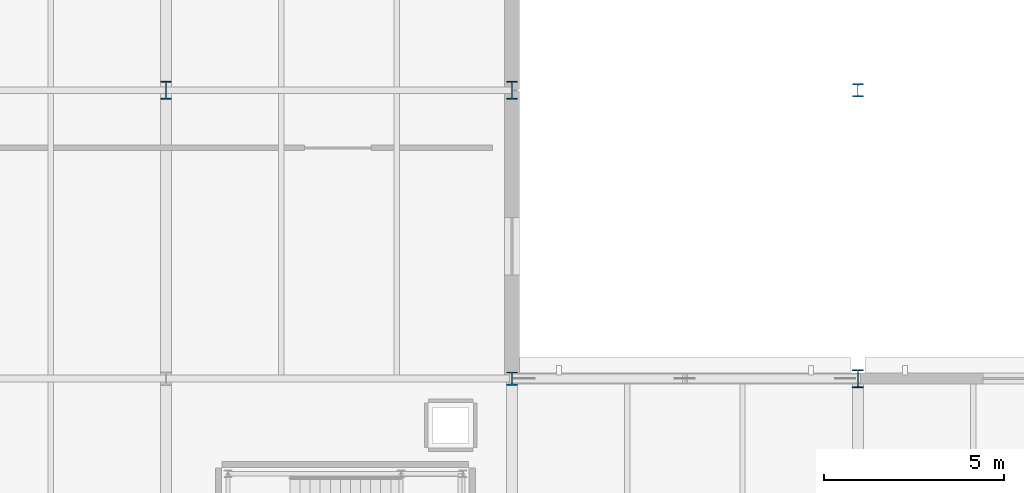
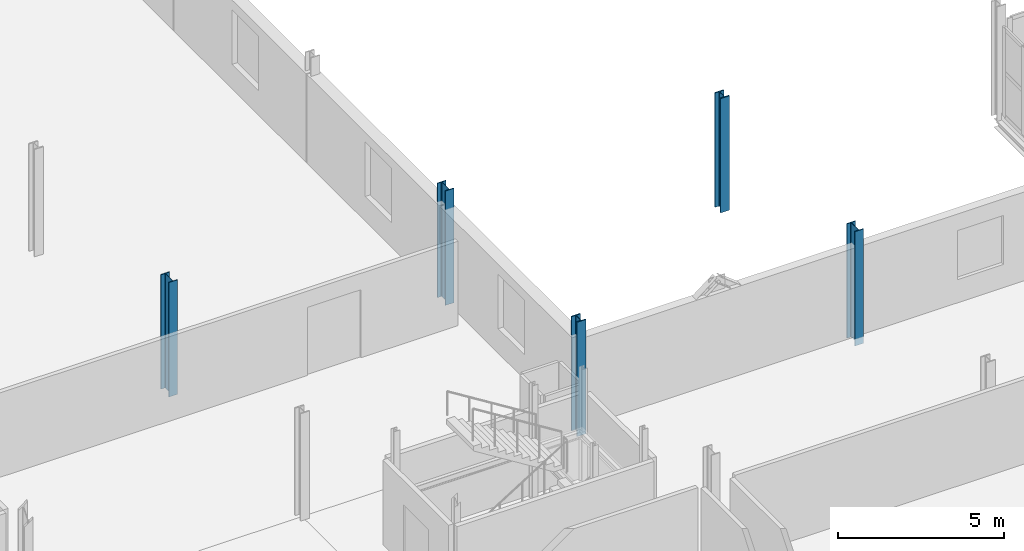
# One storey, part 16 of 78: 5 columns.
"""IFC4 building model written with IfcOpenShell, lengths in metres."""

from ifc_helpers import new_model, si_unit, direction, frame, origin, origin_2d, place, context, subcontext, project, spatial, i_section, extrude, material, material_profile, profile_set, type_object, element, save


model = new_model("IFC4")

# Units and contexts
model_context = context("Model", 3, precision=1e-05, world=origin(), true_north=direction((0.0, 1.0)))
body_context = subcontext(model_context, "Body", "Model", "MODEL_VIEW")
ifc_project = project(units=[si_unit("LENGTHUNIT", "METRE"), si_unit("AREAUNIT", "SQUARE_METRE"), si_unit("VOLUMEUNIT", "CUBIC_METRE"), si_unit("PLANEANGLEUNIT", "RADIAN"), si_unit("MASSUNIT", "GRAM", prefix="KILO")], contexts=[model_context])

# Site, building, storey
site_placement = place(None, origin())
site = spatial("IfcSite", under=ifc_project, at=site_placement, CompositionType="ELEMENT")
building_placement = place(site_placement, origin())
building = spatial("IfcBuilding", under=site, at=building_placement, Name="Alderhovde Museum", CompositionType="ELEMENT")
storey_placement = place(building_placement, frame((0.0, 0.0, 4.5)))
storey = spatial("IfcBuildingStorey", under=building, at=storey_placement, Name="L01", CompositionType="ELEMENT", Elevation=4.5)

# Columns
ifc_material_1 = material(Name="Steel S355J2", Category="steel")
ifc_material_profile_1 = material_profile(ifc_material_1, i_section(OverallWidth=0.300048828125, OverallDepth=0.5, WebThickness=0.014404296875, FlangeThickness=0.028076171875, FilletRadius=0.027099609375, at=origin_2d()), Name="HEB 500")
ifc_profile_set_1 = profile_set([ifc_material_profile_1], Name="Steel S355J2")
column_type_1 = type_object("IfcColumnType", Name="COL-HEB500", PredefinedType="COLUMN", material=ifc_profile_set_1)
for number, where, z_axis, x_axis, name in (
    (1, (48.0, 88.0, -0.260009765625), (0.0, 0.0, 1.0), (1.0, 0.0, 0.0), "L01 Column (48.0, 88.0)"),
    (2, (57.60009765625, 88.0, -0.260009765625), (0.0, 0.0, 1.0), (1.0, 0.0, 0.0), "L01 Column (57.6, 88.0)"),
    (3, (67.199951171875, 80.0, -0.260009765625), (0.0, 0.0, 1.0), (1.0, 0.0, 0.0), "L01 Column (67.2, 80.0)"),
):
    element("IfcColumn", number, at=place(storey_placement, frame(where, z_axis=z_axis, x_axis=x_axis)), inside=storey, type_object=column_type_1, Name=name, PredefinedType="COLUMN", context=body_context, shape_type="SweptSolid", body=[
        extrude(i_section(OverallWidth=0.300048828125, OverallDepth=0.5, WebThickness=0.014404296875, FlangeThickness=0.028076171875, FilletRadius=0.027099609375, at=origin_2d()), origin(), (0.0, 0.0, 1.0), 4.199951171875),
    ])
ifc_material_2 = material(Name="Steel S355J2", Category="steel")
ifc_material_profile_2 = material_profile(ifc_material_2, i_section(OverallWidth=0.30908203125, OverallDepth=0.376953125, WebThickness=0.02099609375, FlangeThickness=0.0400390625, FilletRadius=0.027099609375, at=origin_2d()), Name="HEM 340")
ifc_profile_set_2 = profile_set([ifc_material_profile_2], Name="Steel S355J2")
column_type_2 = type_object("IfcColumnType", Name="COL-HEM340", PredefinedType="COLUMN", material=ifc_profile_set_2)
for number, where, z_axis, x_axis, name in (
    (4, (57.60009765625, 80.0, -0.260009765625), (0.0, 0.0, 1.0), (1.0, 0.0, 0.0), "L01 Column (57.6, 80.0)"),
    (5, (67.199951171875, 88.0, -0.260009765625), (0.0, 0.0, 1.0), (1.0, 0.0, 0.0), "L01 Column (67.2, 88.0)"),
):
    element("IfcColumn", number, at=place(storey_placement, frame(where, z_axis=z_axis, x_axis=x_axis)), inside=storey, type_object=column_type_2, Name=name, PredefinedType="COLUMN", context=body_context, shape_type="SweptSolid", body=[
        extrude(i_section(OverallWidth=0.30908203125, OverallDepth=0.376953125, WebThickness=0.02099609375, FlangeThickness=0.0400390625, FilletRadius=0.027099609375, at=origin_2d()), origin(), (0.0, 0.0, 1.0), 4.199951171875),
    ])

save(model, "model.ifc")
